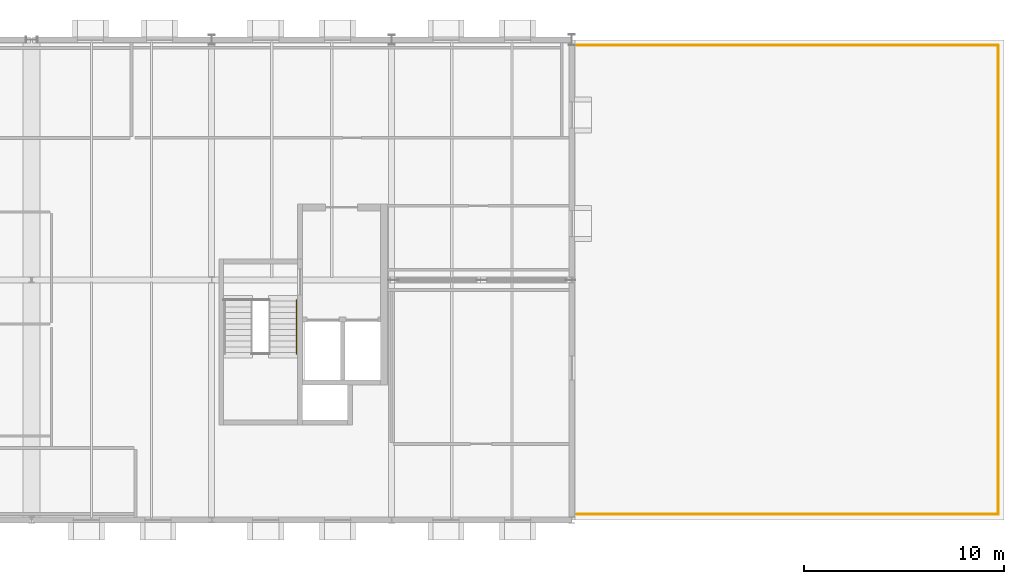
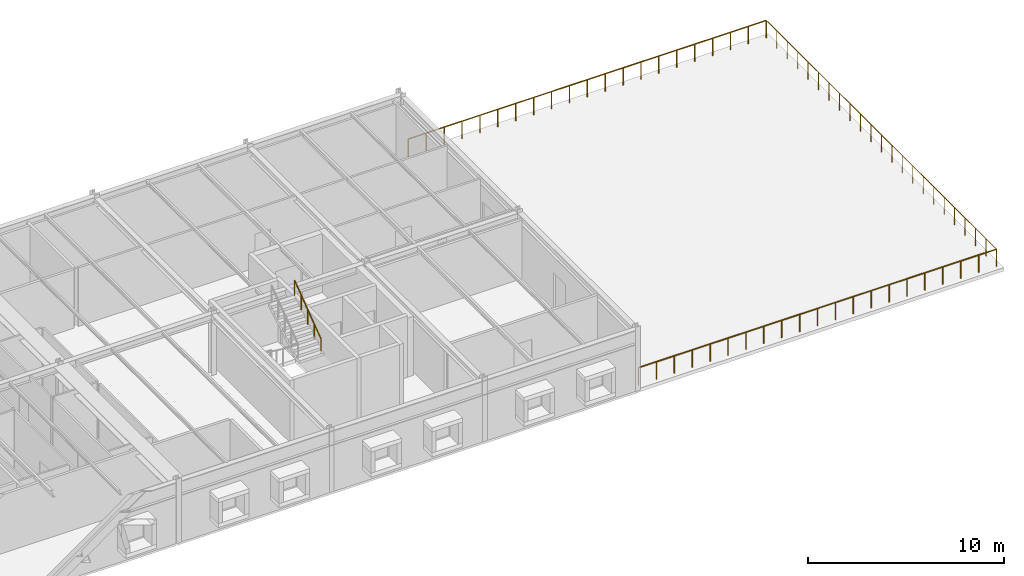
# One storey, part 17 of 17: 4 railings.
"""IFC4 building model written with IfcOpenShell, lengths in metres."""

from ifc_helpers import new_model, si_unit, direction, frame, origin, origin_2d, place, context, subcontext, project, spatial, circle, extrude, material, type_object, element, save


model = new_model("IFC4")

# Units and contexts
model_context = context("Model", 3, precision=1e-05, world=origin(), true_north=direction((0.0, 1.0)))
body_context = subcontext(model_context, "Body", "Model", "MODEL_VIEW")
ifc_project = project(units=[si_unit("LENGTHUNIT", "METRE"), si_unit("AREAUNIT", "SQUARE_METRE"), si_unit("VOLUMEUNIT", "CUBIC_METRE"), si_unit("PLANEANGLEUNIT", "RADIAN"), si_unit("MASSUNIT", "GRAM", prefix="KILO")], contexts=[model_context])

# Site, building, storey
site_placement = place(None, origin())
site = spatial("IfcSite", under=ifc_project, at=site_placement, CompositionType="ELEMENT")
building_placement = place(site_placement, origin())
building = spatial("IfcBuilding", under=site, at=building_placement, Name="Montelvaro Courts of Justice", CompositionType="ELEMENT")
storey_placement = place(building_placement, frame((0.0, 0.0, 27.39990234375)))
storey = spatial("IfcBuildingStorey", under=building, at=storey_placement, Name="L06", CompositionType="ELEMENT", Elevation=27.39990234375)

# Railings
ifc_material_1 = material(Name="Austenitic stainless steel EN 1.4401", Category="steel")
railing_type_1 = type_object("IfcRailingType", Name="StairHandrail_950", PredefinedType="HANDRAIL", material=ifc_material_1)
railing_1_placement = place(storey_placement, frame((112.239990234375, 8.304931640625, 2.0)))
element("IfcRailing", 1, at=railing_1_placement, inside=storey, type_object=railing_type_1, Name="Stair Pitch Handrail HR-01 ST-K2-L06-F2H", PredefinedType="HANDRAIL", context=body_context, shape_type="SweptSolid", body=[
    extrude(circle(Radius=0.02392578125, at=origin_2d()), frame((0.0, 0.0, 0.92578125), z_axis=(0.0, 0.803036263579, 0.595930163171), x_axis=(-1.0, 0.0, 0.0)), (0.0, 0.0, 1.0), 3.356201171875),
    extrude(circle(Radius=0.02099609375, at=origin_2d()), origin(), (0.0, 0.0, 1.0), 0.90185546875),
    extrude(circle(Radius=0.02099609375, at=origin_2d()), frame((0.0, 0.673828125, 0.5)), (0.0, 0.0, 1.0), 0.90185546875),
    extrude(circle(Radius=0.02099609375, at=origin_2d()), frame((0.0, 1.34765625, 1.0)), (0.0, 0.0, 1.0), 0.90185546875),
    extrude(circle(Radius=0.02099609375, at=origin_2d()), frame((0.0, 2.021240234375, 1.5)), (0.0, 0.0, 1.0), 0.90185546875),
    extrude(circle(Radius=0.02099609375, at=origin_2d()), frame((0.0, 2.695068359375, 2.0)), (0.0, 0.0, 1.0), 0.90185546875),
])
ifc_material_2 = material(Name="Steel S355", Category="steel")
railing_type_2 = type_object("IfcRailingType", Name="TerraceGuard_1100", PredefinedType="BALUSTRADE", material=ifc_material_2)
railing_2_placement = place(storey_placement, frame((126.280029296875, 0.280029296875, 0.0)))
element("IfcRailing", 2, at=railing_2_placement, inside=storey, type_object=railing_type_2, Name="Terrace Balustrade Guard GR-01 (L06)", PredefinedType="BALUSTRADE", context=body_context, shape_type="SweptSolid", body=[
    extrude(circle(Radius=0.02392578125, at=origin_2d()), frame((0.0, 0.0, 1.076171875), z_axis=(1.0, 0.0, 0.0), x_axis=(0.0, 1.0, 0.0)), (0.0, 0.0, 1.0), 21.0400390625),
    extrude(circle(Radius=0.02099609375, at=origin_2d()), origin(), (0.0, 0.0, 1.0), 1.052001953125),
    extrude(circle(Radius=0.02099609375, at=origin_2d()), frame((1.052001953125, 0.0, 0.0)), (0.0, 0.0, 1.0), 1.052001953125),
    extrude(circle(Radius=0.02099609375, at=origin_2d()), frame((2.10400390625, 0.0, 0.0)), (0.0, 0.0, 1.0), 1.052001953125),
    extrude(circle(Radius=0.02099609375, at=origin_2d()), frame((3.156005859375, 0.0, 0.0)), (0.0, 0.0, 1.0), 1.052001953125),
    extrude(circle(Radius=0.02099609375, at=origin_2d()), frame((4.2080078125, 0.0, 0.0)), (0.0, 0.0, 1.0), 1.052001953125),
    extrude(circle(Radius=0.02099609375, at=origin_2d()), frame((5.260009765625, 0.0, 0.0)), (0.0, 0.0, 1.0), 1.052001953125),
    extrude(circle(Radius=0.02099609375, at=origin_2d()), frame((6.31201171875, 0.0, 0.0)), (0.0, 0.0, 1.0), 1.052001953125),
    extrude(circle(Radius=0.02099609375, at=origin_2d()), frame((7.364013671875, 0.0, 0.0)), (0.0, 0.0, 1.0), 1.052001953125),
    extrude(circle(Radius=0.02099609375, at=origin_2d()), frame((8.416015625, 0.0, 0.0)), (0.0, 0.0, 1.0), 1.052001953125),
    extrude(circle(Radius=0.02099609375, at=origin_2d()), frame((9.468017578125, 0.0, 0.0)), (0.0, 0.0, 1.0), 1.052001953125),
    extrude(circle(Radius=0.02099609375, at=origin_2d()), frame((10.52001953125, 0.0, 0.0)), (0.0, 0.0, 1.0), 1.052001953125),
    extrude(circle(Radius=0.02099609375, at=origin_2d()), frame((11.572021484375, 0.0, 0.0)), (0.0, 0.0, 1.0), 1.052001953125),
    extrude(circle(Radius=0.02099609375, at=origin_2d()), frame((12.6240234375, 0.0, 0.0)), (0.0, 0.0, 1.0), 1.052001953125),
    extrude(circle(Radius=0.02099609375, at=origin_2d()), frame((13.676025390625, 0.0, 0.0)), (0.0, 0.0, 1.0), 1.052001953125),
    extrude(circle(Radius=0.02099609375, at=origin_2d()), frame((14.72802734375, 0.0, 0.0)), (0.0, 0.0, 1.0), 1.052001953125),
    extrude(circle(Radius=0.02099609375, at=origin_2d()), frame((15.780029296875, 0.0, 0.0)), (0.0, 0.0, 1.0), 1.052001953125),
    extrude(circle(Radius=0.02099609375, at=origin_2d()), frame((16.83203125, 0.0, 0.0)), (0.0, 0.0, 1.0), 1.052001953125),
    extrude(circle(Radius=0.02099609375, at=origin_2d()), frame((17.884033203125, 0.0, 0.0)), (0.0, 0.0, 1.0), 1.052001953125),
    extrude(circle(Radius=0.02099609375, at=origin_2d()), frame((18.93603515625, 0.0, 0.0)), (0.0, 0.0, 1.0), 1.052001953125),
    extrude(circle(Radius=0.02099609375, at=origin_2d()), frame((19.988037109375, 0.0, 0.0)), (0.0, 0.0, 1.0), 1.052001953125),
    extrude(circle(Radius=0.02099609375, at=origin_2d()), frame((21.0400390625, 0.0, 0.0)), (0.0, 0.0, 1.0), 1.052001953125),
])
railing_3_placement = place(storey_placement, frame((147.320068359375, 0.280029296875, 0.0)))
element("IfcRailing", 3, at=railing_3_placement, inside=storey, type_object=railing_type_2, Name="Terrace Balustrade Guard GR-01 (L06)", PredefinedType="BALUSTRADE", context=body_context, shape_type="SweptSolid", body=[
    extrude(circle(Radius=0.02392578125, at=origin_2d()), frame((0.0, 0.0, 1.076171875), z_axis=(0.0, 1.0, 0.0), x_axis=(-1.0, 0.0, 0.0)), (0.0, 0.0, 1.0), 23.43994140625),
    extrude(circle(Radius=0.02099609375, at=origin_2d()), origin(), (0.0, 0.0, 1.0), 1.052001953125),
    extrude(circle(Radius=0.02099609375, at=origin_2d()), frame((0.0, 1.0654296875, 0.0)), (0.0, 0.0, 1.0), 1.052001953125),
    extrude(circle(Radius=0.02099609375, at=origin_2d()), frame((0.0, 2.130859375, 0.0)), (0.0, 0.0, 1.0), 1.052001953125),
    extrude(circle(Radius=0.02099609375, at=origin_2d()), frame((0.0, 3.1962890625, 0.0)), (0.0, 0.0, 1.0), 1.052001953125),
    extrude(circle(Radius=0.02099609375, at=origin_2d()), frame((0.0, 4.26171875, 0.0)), (0.0, 0.0, 1.0), 1.052001953125),
    extrude(circle(Radius=0.02099609375, at=origin_2d()), frame((0.0, 5.3271484375, 0.0)), (0.0, 0.0, 1.0), 1.052001953125),
    extrude(circle(Radius=0.02099609375, at=origin_2d()), frame((0.0, 6.392822265625, 0.0)), (0.0, 0.0, 1.0), 1.052001953125),
    extrude(circle(Radius=0.02099609375, at=origin_2d()), frame((0.0, 7.458251953125, 0.0)), (0.0, 0.0, 1.0), 1.052001953125),
    extrude(circle(Radius=0.02099609375, at=origin_2d()), frame((0.0, 8.523681640625, 0.0)), (0.0, 0.0, 1.0), 1.052001953125),
    extrude(circle(Radius=0.02099609375, at=origin_2d()), frame((0.0, 9.589111328125, 0.0)), (0.0, 0.0, 1.0), 1.052001953125),
    extrude(circle(Radius=0.02099609375, at=origin_2d()), frame((0.0, 10.654541015625, 0.0)), (0.0, 0.0, 1.0), 1.052001953125),
    extrude(circle(Radius=0.02099609375, at=origin_2d()), frame((0.0, 11.719970703125, 0.0)), (0.0, 0.0, 1.0), 1.052001953125),
    extrude(circle(Radius=0.02099609375, at=origin_2d()), frame((0.0, 12.785400390625, 0.0)), (0.0, 0.0, 1.0), 1.052001953125),
    extrude(circle(Radius=0.02099609375, at=origin_2d()), frame((0.0, 13.850830078125, 0.0)), (0.0, 0.0, 1.0), 1.052001953125),
    extrude(circle(Radius=0.02099609375, at=origin_2d()), frame((0.0, 14.916259765625, 0.0)), (0.0, 0.0, 1.0), 1.052001953125),
    extrude(circle(Radius=0.02099609375, at=origin_2d()), frame((0.0, 15.981689453125, 0.0)), (0.0, 0.0, 1.0), 1.052001953125),
    extrude(circle(Radius=0.02099609375, at=origin_2d()), frame((0.0, 17.047119140625, 0.0)), (0.0, 0.0, 1.0), 1.052001953125),
    extrude(circle(Radius=0.02099609375, at=origin_2d()), frame((0.0, 18.11279296875, 0.0)), (0.0, 0.0, 1.0), 1.052001953125),
    extrude(circle(Radius=0.02099609375, at=origin_2d()), frame((0.0, 19.17822265625, 0.0)), (0.0, 0.0, 1.0), 1.052001953125),
    extrude(circle(Radius=0.02099609375, at=origin_2d()), frame((0.0, 20.24365234375, 0.0)), (0.0, 0.0, 1.0), 1.052001953125),
    extrude(circle(Radius=0.02099609375, at=origin_2d()), frame((0.0, 21.30908203125, 0.0)), (0.0, 0.0, 1.0), 1.052001953125),
    extrude(circle(Radius=0.02099609375, at=origin_2d()), frame((0.0, 22.37451171875, 0.0)), (0.0, 0.0, 1.0), 1.052001953125),
    extrude(circle(Radius=0.02099609375, at=origin_2d()), frame((0.0, 23.43994140625, 0.0)), (0.0, 0.0, 1.0), 1.052001953125),
])
railing_4_placement = place(storey_placement, frame((147.320068359375, 23.719970703125, 0.0)))
element("IfcRailing", 4, at=railing_4_placement, inside=storey, type_object=railing_type_2, Name="Terrace Balustrade Guard GR-01 (L06)", PredefinedType="BALUSTRADE", context=body_context, shape_type="SweptSolid", body=[
    extrude(circle(Radius=0.02392578125, at=origin_2d()), frame((0.0, 0.0, 1.076171875), z_axis=(-1.0, 0.0, 0.0), x_axis=(0.0, -1.0, 0.0)), (0.0, 0.0, 1.0), 21.0400390625),
    extrude(circle(Radius=0.02099609375, at=origin_2d()), origin(), (0.0, 0.0, 1.0), 1.052001953125),
    extrude(circle(Radius=0.02099609375, at=origin_2d()), frame((-1.052001953125, 0.0, 0.0)), (0.0, 0.0, 1.0), 1.052001953125),
    extrude(circle(Radius=0.02099609375, at=origin_2d()), frame((-2.10400390625, 0.0, 0.0)), (0.0, 0.0, 1.0), 1.052001953125),
    extrude(circle(Radius=0.02099609375, at=origin_2d()), frame((-3.156005859375, 0.0, 0.0)), (0.0, 0.0, 1.0), 1.052001953125),
    extrude(circle(Radius=0.02099609375, at=origin_2d()), frame((-4.2080078125, 0.0, 0.0)), (0.0, 0.0, 1.0), 1.052001953125),
    extrude(circle(Radius=0.02099609375, at=origin_2d()), frame((-5.260009765625, 0.0, 0.0)), (0.0, 0.0, 1.0), 1.052001953125),
    extrude(circle(Radius=0.02099609375, at=origin_2d()), frame((-6.31201171875, 0.0, 0.0)), (0.0, 0.0, 1.0), 1.052001953125),
    extrude(circle(Radius=0.02099609375, at=origin_2d()), frame((-7.364013671875, 0.0, 0.0)), (0.0, 0.0, 1.0), 1.052001953125),
    extrude(circle(Radius=0.02099609375, at=origin_2d()), frame((-8.416015625, 0.0, 0.0)), (0.0, 0.0, 1.0), 1.052001953125),
    extrude(circle(Radius=0.02099609375, at=origin_2d()), frame((-9.468017578125, 0.0, 0.0)), (0.0, 0.0, 1.0), 1.052001953125),
    extrude(circle(Radius=0.02099609375, at=origin_2d()), frame((-10.52001953125, 0.0, 0.0)), (0.0, 0.0, 1.0), 1.052001953125),
    extrude(circle(Radius=0.02099609375, at=origin_2d()), frame((-11.572021484375, 0.0, 0.0)), (0.0, 0.0, 1.0), 1.052001953125),
    extrude(circle(Radius=0.02099609375, at=origin_2d()), frame((-12.6240234375, 0.0, 0.0)), (0.0, 0.0, 1.0), 1.052001953125),
    extrude(circle(Radius=0.02099609375, at=origin_2d()), frame((-13.676025390625, 0.0, 0.0)), (0.0, 0.0, 1.0), 1.052001953125),
    extrude(circle(Radius=0.02099609375, at=origin_2d()), frame((-14.72802734375, 0.0, 0.0)), (0.0, 0.0, 1.0), 1.052001953125),
    extrude(circle(Radius=0.02099609375, at=origin_2d()), frame((-15.780029296875, 0.0, 0.0)), (0.0, 0.0, 1.0), 1.052001953125),
    extrude(circle(Radius=0.02099609375, at=origin_2d()), frame((-16.83203125, 0.0, 0.0)), (0.0, 0.0, 1.0), 1.052001953125),
    extrude(circle(Radius=0.02099609375, at=origin_2d()), frame((-17.884033203125, 0.0, 0.0)), (0.0, 0.0, 1.0), 1.052001953125),
    extrude(circle(Radius=0.02099609375, at=origin_2d()), frame((-18.93603515625, 0.0, 0.0)), (0.0, 0.0, 1.0), 1.052001953125),
    extrude(circle(Radius=0.02099609375, at=origin_2d()), frame((-19.988037109375, 0.0, 0.0)), (0.0, 0.0, 1.0), 1.052001953125),
    extrude(circle(Radius=0.02099609375, at=origin_2d()), frame((-21.0400390625, 0.0, 0.0)), (0.0, 0.0, 1.0), 1.052001953125),
])

save(model, "model.ifc")
